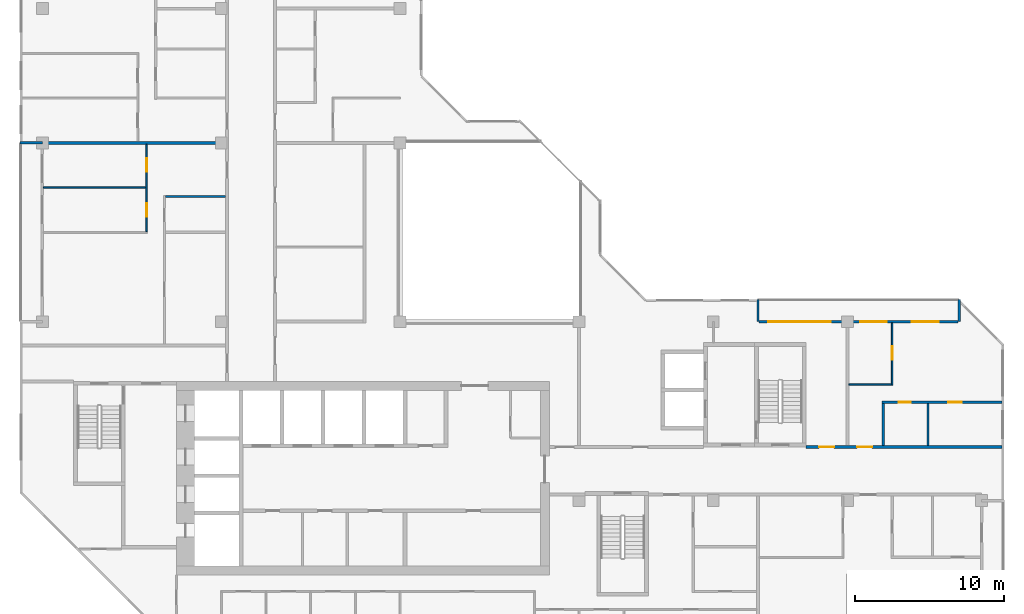
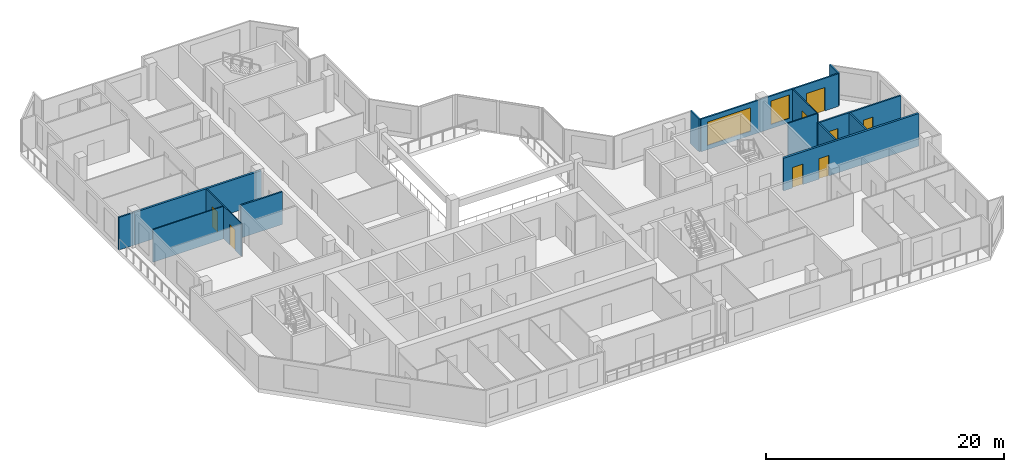
# One storey, part 8 of 13: 14 walls, 8 doors, 2 windows, 10 openings.
"""IFC4 building model written with IfcOpenShell, lengths in metres."""

from ifc_helpers import new_model, si_unit, direction, frame, frame_2d, origin, place, context, subcontext, project, spatial, rectangle, extrude, material, layer, layer_set, type_object, element, fill, save


model = new_model("IFC4")

# Units and contexts
model_context = context("Model", 3, precision=1e-05, world=origin(), true_north=direction((0.0, 1.0)))
body_context = subcontext(model_context, "Body", "Model", "MODEL_VIEW")
ifc_project = project(units=[si_unit("LENGTHUNIT", "METRE"), si_unit("AREAUNIT", "SQUARE_METRE"), si_unit("VOLUMEUNIT", "CUBIC_METRE"), si_unit("PLANEANGLEUNIT", "RADIAN"), si_unit("MASSUNIT", "GRAM", prefix="KILO")], contexts=[model_context])

# Site, building, storey
site_placement = place(None, origin())
site = spatial("IfcSite", under=ifc_project, at=site_placement, CompositionType="ELEMENT")
building_placement = place(site_placement, origin())
building = spatial("IfcBuilding", under=site, at=building_placement, Name="Chenar Terraces", CompositionType="ELEMENT")
storey_placement = place(building_placement, frame((0.0, 0.0, 277.14990234375)))
storey = spatial("IfcBuildingStorey", under=building, at=storey_placement, Name="L64", CompositionType="ELEMENT", Elevation=277.14990234375)

# Wall, openings, doors
ifc_material_1 = material(Name="Gypsum board on steel studs with fire boards", Category="steel")
ifc_layer_1 = layer(ifc_material_1, 0.199951171875)
ifc_layer_set_1 = layer_set([ifc_layer_1], Name="Gypsum board on steel studs with fire boards")
wall_type_1 = type_object("IfcWallType", Name="Corridor wall 200", PredefinedType="PARTITIONING", material=ifc_layer_set_1)
wall_1_placement = place(storey_placement, frame((51.22509765625, 15.60009765625, 0.0), z_axis=(0.0, 0.0, 1.0), x_axis=(1.0, 0.0, 0.0)))
wall_1 = element("IfcWall", 1, at=wall_1_placement, inside=storey, type_object=wall_type_1, Name="Partition L64-059", PredefinedType="PARTITIONING", context=body_context, shape_type="SweptSolid", body=[
    extrude(rectangle(XDim=13.125, YDim=0.199951171875, at=frame_2d((6.5625, 0.0))), origin(), (0.0, 0.0, 1.0), 3.35009765625),
])
opening_1_placement = place(wall_1_placement, frame((3.425048828125, 0.0, 0.0)))
opening_1 = element("IfcOpeningElement", 2, at=opening_1_placement, cuts=wall_1, Name="Opening DL64-7", PredefinedType="OPENING", context=body_context, shape_type="SweptSolid", body=[
    extrude(rectangle(XDim=1.0, YDim=2.10009765625, at=frame_2d((0.5, 1.050048828125))), frame((0.0, 0.10986328125, 0.0), z_axis=(0.0, -1.0, 0.0), x_axis=(1.0, 0.0, 0.0)), (0.0, 0.0, 1.0), 0.219970703125),
])
opening_2_placement = place(wall_1_placement, frame((0.875, 0.0, 0.0)))
opening_2 = element("IfcOpeningElement", 3, at=opening_2_placement, cuts=wall_1, Name="Opening DL64-32", PredefinedType="OPENING", context=body_context, shape_type="SweptSolid", body=[
    extrude(rectangle(XDim=1.0, YDim=2.10009765625, at=frame_2d((0.5, 1.050048828125))), frame((0.0, 0.10986328125, 0.0), z_axis=(0.0, -1.0, 0.0), x_axis=(1.0, 0.0, 0.0)), (0.0, 0.0, 1.0), 0.219970703125),
])
ifc_material_2 = material(Name="Steel-framed fire-resisting door leaf", Category="steel")
door_type_1 = type_object("IfcDoorType", Name="Fire door FD30S 1000 x 2100", OperationType="SINGLE_SWING_LEFT", PredefinedType="DOOR", material=ifc_material_2)
door_1_placement = place(opening_1_placement, origin())
door_1 = element("IfcDoor", 4, at=door_1_placement, inside=storey, type_object=door_type_1, Name="Door DL64-7", OperationType="SINGLE_SWING_LEFT", OverallHeight=2.10009765625, OverallWidth=1.0, PredefinedType="DOOR", context=body_context, shape_type="SweptSolid", body=[
    extrude(rectangle(XDim=1.0, YDim=2.10009765625, at=frame_2d((0.5, 1.050048828125))), frame((0.0, 0.02490234375, 0.0), z_axis=(0.0, -1.0, 0.0), x_axis=(1.0, 0.0, 0.0)), (0.0, 0.0, 1.0), 0.050048828125),
])
fill(opening_1, door_1)
door_2_placement = place(opening_2_placement, origin())
door_2 = element("IfcDoor", 5, at=door_2_placement, inside=storey, type_object=door_type_1, Name="Door DL64-32", OperationType="SINGLE_SWING_RIGHT", OverallHeight=2.10009765625, OverallWidth=1.0, PredefinedType="DOOR", context=body_context, shape_type="SweptSolid", body=[
    extrude(rectangle(XDim=1.0, YDim=2.10009765625, at=frame_2d((0.5, 1.050048828125))), frame((0.0, 0.02490234375, 0.0), z_axis=(0.0, -1.0, 0.0), x_axis=(1.0, 0.0, 0.0)), (0.0, 0.0, 1.0), 0.050048828125),
])
fill(opening_2, door_2)

# Wall, openings, windows, door
ifc_material_3 = material(Name="Aluminium framed glazing", Category="aluminium")
ifc_layer_2 = layer(ifc_material_3, 0.14990234375)
ifc_layer_set_2 = layer_set([ifc_layer_2], Name="Aluminium framed glazing")
wall_type_2 = type_object("IfcWallType", Name="Glazed loggia back wall 150", PredefinedType="SOLIDWALL", material=ifc_layer_set_2)
wall_2_placement = place(storey_placement, frame((61.425048828125, 24.0, 0.0), z_axis=(0.0, 0.0, 1.0), x_axis=(-1.0, 0.0, 0.0)))
wall_2 = element("IfcWall", 6, at=wall_2_placement, inside=storey, type_object=wall_type_2, Name="Glazed loggia back wall", PredefinedType="SOLIDWALL", context=body_context, shape_type="SweptSolid", body=[
    extrude(rectangle(XDim=13.35009765625, YDim=0.14990234375, at=frame_2d((6.675048828125, 0.0))), origin(), (0.0, 0.0, 1.0), 3.35009765625),
])
opening_3_placement = place(wall_2_placement, frame((1.3125, 0.0, 0.0)))
opening_3 = element("IfcOpeningElement", 7, at=opening_3_placement, cuts=wall_2, Name="Opening DL64-G1", PredefinedType="OPENING", context=body_context, shape_type="SweptSolid", body=[
    extrude(rectangle(XDim=1.800048828125, YDim=2.39990234375, at=frame_2d((0.89990234375, 1.199951171875))), frame((0.0, 0.0849609375, 0.0), z_axis=(0.0, -1.0, 0.0), x_axis=(1.0, 0.0, 0.0)), (0.0, 0.0, 1.0), 0.169921875),
])
opening_4_placement = place(wall_2_placement, frame((4.77490234375, 0.0, 0.449951171875)))
opening_4 = element("IfcOpeningElement", 8, at=opening_4_placement, cuts=wall_2, Name="Opening W180x240", PredefinedType="OPENING", context=body_context, shape_type="SweptSolid", body=[
    extrude(rectangle(XDim=1.800048828125, YDim=2.39990234375, at=frame_2d((0.89990234375, 1.199951171875))), frame((0.0, 0.0849609375, 0.0), z_axis=(0.0, -1.0, 0.0), x_axis=(1.0, 0.0, 0.0)), (0.0, 0.0, 1.0), 0.169921875),
])
opening_5_placement = place(wall_2_placement, frame((8.53759765625, 0.0, 0.449951171875)))
opening_5 = element("IfcOpeningElement", 9, at=opening_5_placement, cuts=wall_2, Name="Opening W420x240", PredefinedType="OPENING", context=body_context, shape_type="SweptSolid", body=[
    extrude(rectangle(XDim=4.199951171875, YDim=2.39990234375, at=frame_2d((2.10009765625, 1.199951171875))), frame((0.0, 0.0849609375, 0.0), z_axis=(0.0, -1.0, 0.0), x_axis=(1.0, 0.0, 0.0)), (0.0, 0.0, 1.0), 0.169921875),
])
ifc_material_4 = material(Name="Low emissivity double glazing, aluminium frame", Category="aluminium")
window_type_1 = type_object("IfcWindowType", Name="Fixed light 1800 x 2400", PartitioningType="SINGLE_PANEL", PredefinedType="WINDOW", material=ifc_material_4)
window_1_placement = place(opening_4_placement, origin())
window_1 = element("IfcWindow", 10, at=window_1_placement, inside=storey, type_object=window_type_1, Name="Window", OverallHeight=2.39990234375, OverallWidth=1.800048828125, PartitioningType="SINGLE_PANEL", PredefinedType="WINDOW", context=body_context, shape_type="SweptSolid", body=[
    extrude(rectangle(XDim=1.800048828125, YDim=2.39990234375, at=frame_2d((0.89990234375, 1.199951171875))), frame((0.0, 0.030029296875, 0.0), z_axis=(0.0, -1.0, 0.0), x_axis=(1.0, 0.0, 0.0)), (0.0, 0.0, 1.0), 0.06005859375),
])
fill(opening_4, window_1)
ifc_material_5 = material(Name="Low emissivity double glazing, aluminium frame", Category="aluminium")
window_type_2 = type_object("IfcWindowType", Name="Fixed light 4200 x 2400", PartitioningType="SINGLE_PANEL", PredefinedType="WINDOW", material=ifc_material_5)
window_2_placement = place(opening_5_placement, origin())
window_2 = element("IfcWindow", 11, at=window_2_placement, inside=storey, type_object=window_type_2, Name="Window", OverallHeight=2.39990234375, OverallWidth=4.199951171875, PartitioningType="SINGLE_PANEL", PredefinedType="WINDOW", context=body_context, shape_type="SweptSolid", body=[
    extrude(rectangle(XDim=4.199951171875, YDim=2.39990234375, at=frame_2d((2.10009765625, 1.199951171875))), frame((0.0, 0.030029296875, 0.0), z_axis=(0.0, -1.0, 0.0), x_axis=(1.0, 0.0, 0.0)), (0.0, 0.0, 1.0), 0.06005859375),
])
fill(opening_5, window_2)
ifc_material_6 = material(Name="Low emissivity double glazing, aluminium frame", Category="aluminium")
door_type_2 = type_object("IfcDoorType", Name="Loggia glazed double door 1800 x 2400", OperationType="DOUBLE_DOOR_SINGLE_SWING", PredefinedType="DOOR", material=ifc_material_6)
door_3_placement = place(opening_3_placement, frame((1.800048828125, 0.0, 0.0), z_axis=(0.0, 0.0, 1.0), x_axis=(-1.0, 0.0, 0.0)))
door_3 = element("IfcDoor", 12, at=door_3_placement, inside=storey, type_object=door_type_2, Name="Loggia glazed door", OperationType="DOUBLE_DOOR_SINGLE_SWING", OverallHeight=2.39990234375, OverallWidth=1.800048828125, PredefinedType="DOOR", context=body_context, shape_type="SweptSolid", body=[
    extrude(rectangle(XDim=1.800048828125, YDim=2.39990234375, at=frame_2d((0.89990234375, 1.199951171875))), frame((0.0, 0.02490234375, 0.0), z_axis=(0.0, -1.0, 0.0), x_axis=(1.0, 0.0, 0.0)), (0.0, 0.0, 1.0), 0.050048828125),
])
fill(opening_3, door_3)

# Wall
ifc_material_7 = material(Name="Gypsum board on steel studs", Category="steel")
ifc_layer_3 = layer(ifc_material_7, 0.10009765625)
ifc_layer_set_3 = layer_set([ifc_layer_3], Name="Gypsum board on steel studs")
wall_type_3 = type_object("IfcWallType", Name="Gypsum partition 100", PredefinedType="PARTITIONING", material=ifc_layer_set_3)
wall_3_placement = place(storey_placement, frame((0.073974609375, 33.0, 0.0), z_axis=(0.0, 0.0, 1.0), x_axis=(1.0, 0.0, 0.0)))
element("IfcWall", 13, at=wall_3_placement, inside=storey, type_object=wall_type_3, Name="Partition L64-008", PredefinedType="PARTITIONING", context=body_context, shape_type="SweptSolid", body=[
    extrude(rectangle(XDim=6.8759765625, YDim=0.10009765625, at=frame_2d((3.43798828125, 0.0))), origin(), (0.0, 0.0, 1.0), 3.35009765625),
])

# Wall, openings, doors
wall_4_placement = place(storey_placement, frame((7.0, 30.050048828125, 0.0), z_axis=(0.0, 0.0, 1.0), x_axis=(0.0, 1.0, 0.0)))
wall_4 = element("IfcWall", 14, at=wall_4_placement, inside=storey, type_object=wall_type_3, Name="Partition L64-015", PredefinedType="PARTITIONING", context=body_context, shape_type="SweptSolid", body=[
    extrude(rectangle(XDim=5.849853515625, YDim=0.10009765625, at=frame_2d((2.9248046875, 0.0))), origin(), (0.0, 0.0, 1.0), 3.35009765625),
])
opening_6_placement = place(wall_4_placement, frame((1.0, 0.0, 0.0)))
opening_6 = element("IfcOpeningElement", 15, at=opening_6_placement, cuts=wall_4, Name="Opening DL64-48", PredefinedType="OPENING", context=body_context, shape_type="SweptSolid", body=[
    extrude(rectangle(XDim=0.89990234375, YDim=2.10009765625, at=frame_2d((0.449951171875, 1.050048828125))), frame((0.0, 0.06005859375, 0.0), z_axis=(0.0, -1.0, 0.0), x_axis=(1.0, 0.0, 0.0)), (0.0, 0.0, 1.0), 0.1201171875),
])
opening_7_placement = place(wall_4_placement, frame((4.0, 0.0, 0.0)))
opening_7 = element("IfcOpeningElement", 16, at=opening_7_placement, cuts=wall_4, Name="Opening DL64-49", PredefinedType="OPENING", context=body_context, shape_type="SweptSolid", body=[
    extrude(rectangle(XDim=0.89990234375, YDim=2.10009765625, at=frame_2d((0.449951171875, 1.050048828125))), frame((0.0, 0.06005859375, 0.0), z_axis=(0.0, -1.0, 0.0), x_axis=(1.0, 0.0, 0.0)), (0.0, 0.0, 1.0), 0.1201171875),
])
ifc_material_8 = material(Name="Veneered timber door leaf", Category="wood")
door_type_3 = type_object("IfcDoorType", Name="Door 900 x 2100", OperationType="SINGLE_SWING_LEFT", PredefinedType="DOOR", material=ifc_material_8)
door_4_placement = place(opening_6_placement, origin())
door_4 = element("IfcDoor", 17, at=door_4_placement, inside=storey, type_object=door_type_3, Name="Door DL64-48", OperationType="SINGLE_SWING_RIGHT", OverallHeight=2.10009765625, OverallWidth=0.89990234375, PredefinedType="DOOR", context=body_context, shape_type="SweptSolid", body=[
    extrude(rectangle(XDim=0.89990234375, YDim=2.10009765625, at=frame_2d((0.449951171875, 1.050048828125))), frame((0.0, 0.02490234375, 0.0), z_axis=(0.0, -1.0, 0.0), x_axis=(1.0, 0.0, 0.0)), (0.0, 0.0, 1.0), 0.050048828125),
])
fill(opening_6, door_4)
door_5_placement = place(opening_7_placement, origin())
door_5 = element("IfcDoor", 18, at=door_5_placement, inside=storey, type_object=door_type_3, Name="Door DL64-49", OperationType="SINGLE_SWING_RIGHT", OverallHeight=2.10009765625, OverallWidth=0.89990234375, PredefinedType="DOOR", context=body_context, shape_type="SweptSolid", body=[
    extrude(rectangle(XDim=0.89990234375, YDim=2.10009765625, at=frame_2d((0.449951171875, 1.050048828125))), frame((0.0, 0.02490234375, 0.0), z_axis=(0.0, -1.0, 0.0), x_axis=(1.0, 0.0, 0.0)), (0.0, 0.0, 1.0), 0.050048828125),
])
fill(opening_7, door_5)

# Wall
wall_5_placement = place(storey_placement, frame((54.10009765625, 19.800048828125, 0.0), z_axis=(0.0, 0.0, 1.0), x_axis=(1.0, 0.0, 0.0)))
element("IfcWall", 19, at=wall_5_placement, inside=storey, type_object=wall_type_3, Name="Partition L64-064", PredefinedType="PARTITIONING", context=body_context, shape_type="SweptSolid", body=[
    extrude(rectangle(XDim=2.849853515625, YDim=0.10009765625, at=frame_2d((1.4248046875, 0.0))), origin(), (0.0, 0.0, 1.0), 3.35009765625),
])

# Wall, opening, door
wall_6_placement = place(storey_placement, frame((57.0, 19.75, 0.0), z_axis=(0.0, 0.0, 1.0), x_axis=(0.0, 1.0, 0.0)))
wall_6 = element("IfcWall", 20, at=wall_6_placement, inside=storey, type_object=wall_type_3, Name="Partition L64-070", PredefinedType="PARTITIONING", context=body_context, shape_type="SweptSolid", body=[
    extrude(rectangle(XDim=4.176025390625, YDim=0.10009765625, at=frame_2d((2.087890625, 0.0))), origin(), (0.0, 0.0, 1.0), 3.35009765625),
])
opening_8_placement = place(wall_6_placement, frame((1.699951171875, 0.0, 0.0)))
opening_8 = element("IfcOpeningElement", 21, at=opening_8_placement, cuts=wall_6, Name="Opening DL64-5", PredefinedType="OPENING", context=body_context, shape_type="SweptSolid", body=[
    extrude(rectangle(XDim=0.89990234375, YDim=2.10009765625, at=frame_2d((0.449951171875, 1.050048828125))), frame((0.0, 0.06005859375, 0.0), z_axis=(0.0, -1.0, 0.0), x_axis=(1.0, 0.0, 0.0)), (0.0, 0.0, 1.0), 0.1201171875),
])
door_6_placement = place(opening_8_placement, origin())
door_6 = element("IfcDoor", 22, at=door_6_placement, inside=storey, type_object=door_type_3, Name="Door DL64-5", OperationType="SINGLE_SWING_LEFT", OverallHeight=2.10009765625, OverallWidth=0.89990234375, PredefinedType="DOOR", context=body_context, shape_type="SweptSolid", body=[
    extrude(rectangle(XDim=0.89990234375, YDim=2.10009765625, at=frame_2d((0.449951171875, 1.050048828125))), frame((0.0, 0.02490234375, 0.0), z_axis=(0.0, -1.0, 0.0), x_axis=(1.0, 0.0, 0.0)), (0.0, 0.0, 1.0), 0.050048828125),
])
fill(opening_8, door_6)

# Walls
ifc_material_9 = material(Name="Terracotta cladding on insulated backing", Category="masonry")
ifc_layer_4 = layer(ifc_material_9, 0.14990234375)
ifc_layer_set_4 = layer_set([ifc_layer_4], Name="Terracotta cladding on insulated backing")
wall_type_4 = type_object("IfcWallType", Name="Loggia return wall 150", PredefinedType="SOLIDWALL", material=ifc_layer_set_4)
for number, where, z_axis, x_axis, name in (
    (23, (61.5, 25.5, 0.0), (0.0, 0.0, 1.0), (0.0, -1.0, 0.0), "Loggia return wall"),
    (24, (48.0, 25.5, 0.0), (0.0, 0.0, 1.0), (0.0, -1.0, 0.0), "Loggia return wall"),
    (25, (-1.5, 36.0, 0.0), (0.0, 0.0, 1.0), (1.0, 0.0, 0.0), "Loggia return wall"),
):
    element("IfcWall", number, at=place(storey_placement, frame(where, z_axis=z_axis, x_axis=x_axis)), inside=storey, type_object=wall_type_4, Name=name, PredefinedType="SOLIDWALL", context=body_context, shape_type="SweptSolid", body=[
        extrude(rectangle(XDim=1.5, YDim=0.14990234375, at=frame_2d((0.75, 0.0))), origin(), (0.0, 0.0, 1.0), 3.35009765625),
    ])
ifc_material_10 = material(Name="Twin gypsum board on steel studs with mineral wool", Category="steel")
ifc_layer_5 = layer(ifc_material_10, 0.199951171875)
ifc_layer_set_5 = layer_set([ifc_layer_5], Name="Twin gypsum board on steel studs with mineral wool")
wall_type_5 = type_object("IfcWallType", Name="Unit demising wall 200", PredefinedType="PARTITIONING", material=ifc_layer_set_5)
wall_7_placement = place(storey_placement, frame((0.0, 36.0, 0.0), z_axis=(0.0, 0.0, 1.0), x_axis=(1.0, 0.0, 0.0)))
element("IfcWall", 26, at=wall_7_placement, inside=storey, type_object=wall_type_5, Name="Partition L64-004", PredefinedType="PARTITIONING", context=body_context, shape_type="SweptSolid", body=[
    extrude(rectangle(XDim=12.300048828125, YDim=0.199951171875, at=frame_2d((6.14990234375, 0.0))), origin(), (0.0, 0.0, 1.0), 3.35009765625),
])
ifc_material_11 = material(Name="Moisture-resistant gypsum board on steel studs", Category="steel")
ifc_layer_6 = layer(ifc_material_11, 0.14990234375)
ifc_layer_set_6 = layer_set([ifc_layer_6], Name="Moisture-resistant gypsum board on steel studs")
wall_type_6 = type_object("IfcWallType", Name="Wet-room partition 150", PredefinedType="PARTITIONING", material=ifc_layer_set_6)
wall_8_placement = place(storey_placement, frame((8.27490234375, 32.39990234375, 0.0), z_axis=(0.0, 0.0, 1.0), x_axis=(1.0, 0.0, 0.0)))
element("IfcWall", 27, at=wall_8_placement, inside=storey, type_object=wall_type_6, Name="Partition L64-023", PredefinedType="PARTITIONING", context=body_context, shape_type="SweptSolid", body=[
    extrude(rectangle(XDim=4.025146484375, YDim=0.14990234375, at=frame_2d((2.0126953125, 0.0))), origin(), (0.0, 0.0, 1.0), 3.35009765625),
])

# Wall, openings, doors
wall_9_placement = place(storey_placement, frame((56.324951171875, 18.60009765625, 0.0), z_axis=(0.0, 0.0, 1.0), x_axis=(1.0, 0.0, 0.0)))
wall_9 = element("IfcWall", 28, at=wall_9_placement, inside=storey, type_object=wall_type_6, Name="Partition L64-065", PredefinedType="PARTITIONING", context=body_context, shape_type="SweptSolid", body=[
    extrude(rectangle(XDim=8.025146484375, YDim=0.14990234375, at=frame_2d((4.0126953125, 0.0))), origin(), (0.0, 0.0, 1.0), 3.35009765625),
])
opening_9_placement = place(wall_9_placement, frame((1.125, 0.0, 0.0)))
opening_9 = element("IfcOpeningElement", 29, at=opening_9_placement, cuts=wall_9, Name="Opening DL64-4", PredefinedType="OPENING", context=body_context, shape_type="SweptSolid", body=[
    extrude(rectangle(XDim=0.800048828125, YDim=2.10009765625, at=frame_2d((0.39990234375, 1.050048828125))), frame((0.0, 0.0849609375, 0.0), z_axis=(0.0, -1.0, 0.0), x_axis=(1.0, 0.0, 0.0)), (0.0, 0.0, 1.0), 0.169921875),
])
opening_10_placement = place(wall_9_placement, frame((4.425048828125, 0.0, 0.0)))
opening_10 = element("IfcOpeningElement", 30, at=opening_10_placement, cuts=wall_9, Name="Opening DL64-6", PredefinedType="OPENING", context=body_context, shape_type="SweptSolid", body=[
    extrude(rectangle(XDim=0.89990234375, YDim=2.10009765625, at=frame_2d((0.449951171875, 1.050048828125))), frame((0.0, 0.0849609375, 0.0), z_axis=(0.0, -1.0, 0.0), x_axis=(1.0, 0.0, 0.0)), (0.0, 0.0, 1.0), 0.169921875),
])
ifc_material_12 = material(Name="Veneered timber door leaf", Category="wood")
door_type_4 = type_object("IfcDoorType", Name="Door 800 x 2100", OperationType="SINGLE_SWING_LEFT", PredefinedType="DOOR", material=ifc_material_12)
door_7_placement = place(opening_9_placement, frame((0.800048828125, 0.0, 0.0), z_axis=(0.0, 0.0, 1.0), x_axis=(-1.0, 0.0, 0.0)))
door_7 = element("IfcDoor", 31, at=door_7_placement, inside=storey, type_object=door_type_4, Name="Door DL64-4", OperationType="SINGLE_SWING_RIGHT", OverallHeight=2.10009765625, OverallWidth=0.800048828125, PredefinedType="DOOR", context=body_context, shape_type="SweptSolid", body=[
    extrude(rectangle(XDim=0.800048828125, YDim=2.10009765625, at=frame_2d((0.39990234375, 1.050048828125))), frame((0.0, 0.02490234375, 0.0), z_axis=(0.0, -1.0, 0.0), x_axis=(1.0, 0.0, 0.0)), (0.0, 0.0, 1.0), 0.050048828125),
])
fill(opening_9, door_7)
door_8_placement = place(opening_10_placement, frame((0.89990234375, 0.0, 0.0), z_axis=(0.0, 0.0, 1.0), x_axis=(-1.0, 0.0, 0.0)))
door_8 = element("IfcDoor", 32, at=door_8_placement, inside=storey, type_object=door_type_3, Name="Door DL64-6", OperationType="SINGLE_SWING_RIGHT", OverallHeight=2.10009765625, OverallWidth=0.89990234375, PredefinedType="DOOR", context=body_context, shape_type="SweptSolid", body=[
    extrude(rectangle(XDim=0.89990234375, YDim=2.10009765625, at=frame_2d((0.449951171875, 1.050048828125))), frame((0.0, 0.02490234375, 0.0), z_axis=(0.0, -1.0, 0.0), x_axis=(1.0, 0.0, 0.0)), (0.0, 0.0, 1.0), 0.050048828125),
])
fill(opening_10, door_8)

# Walls
for number, where, z_axis, x_axis, name in (
    (33, (56.39990234375, 15.699951171875, 0.0), (0.0, 0.0, 1.0), (0.0, 1.0, 0.0), "Partition L64-066"),
    (34, (59.39990234375, 15.699951171875, 0.0), (0.0, 0.0, 1.0), (0.0, 1.0, 0.0), "Partition L64-071"),
):
    element("IfcWall", number, at=place(storey_placement, frame(where, z_axis=z_axis, x_axis=x_axis)), inside=storey, type_object=wall_type_6, Name=name, PredefinedType="PARTITIONING", context=body_context, shape_type="SweptSolid", body=[
        extrude(rectangle(XDim=2.824951171875, YDim=0.14990234375, at=frame_2d((1.41259765625, 0.0))), origin(), (0.0, 0.0, 1.0), 3.35009765625),
    ])

save(model, "model.ifc")
